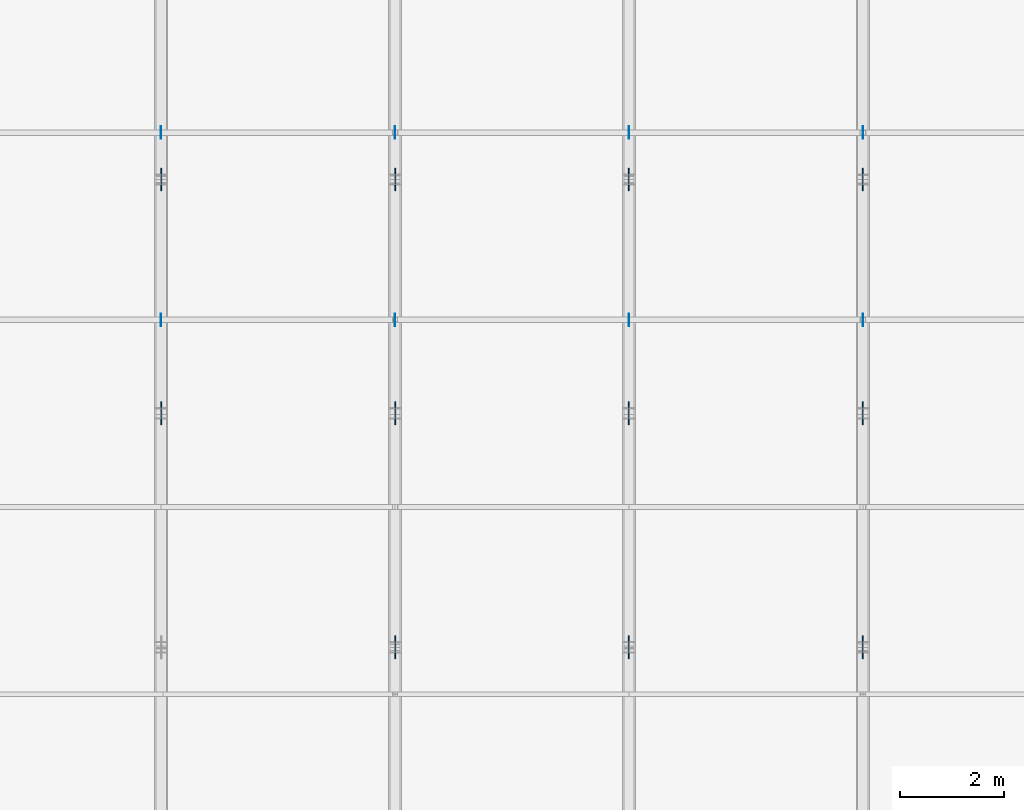
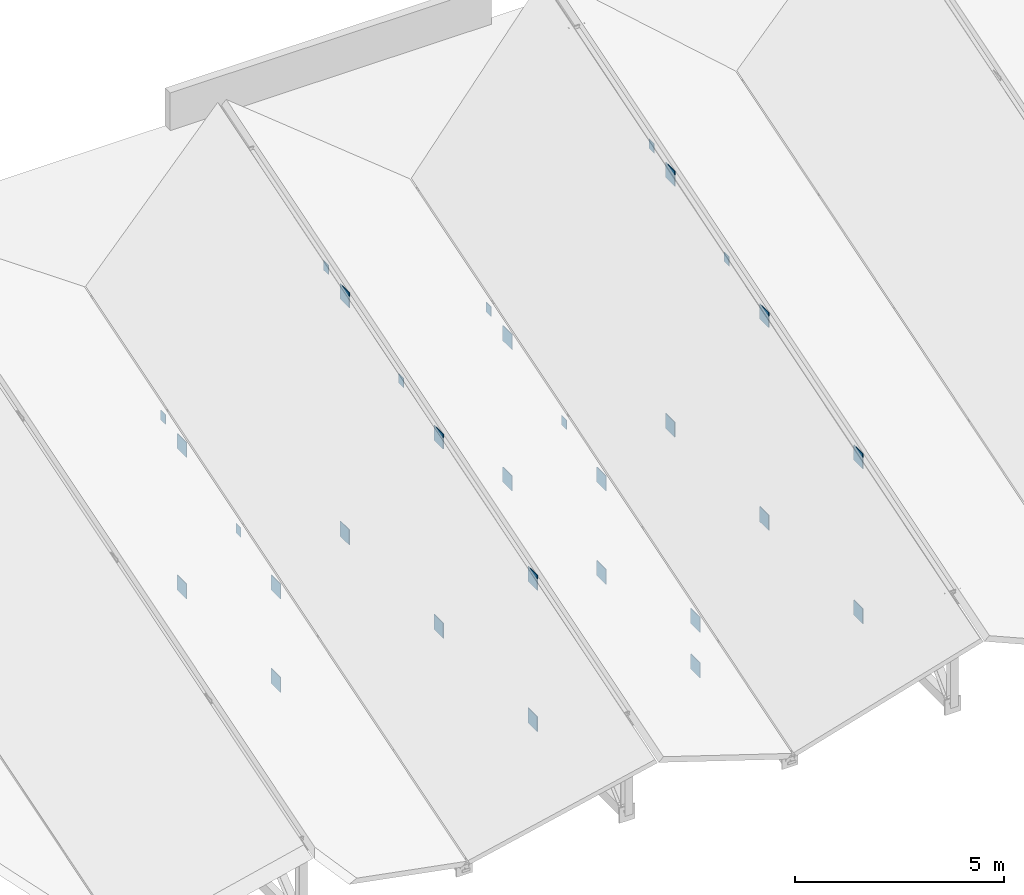
# One storey, part 119 of 142: 30 plates.
"""IFC4 building model written with IfcOpenShell, lengths in metres."""

from ifc_helpers import new_model, si_unit, direction, frame, origin, origin_2d, place, context, subcontext, project, spatial, rectangle, extrude, material, layer, layer_set, type_object, element, save


model = new_model("IFC4")

# Units and contexts
model_context = context("Model", 3, precision=1e-05, world=origin(), true_north=direction((0.0, 1.0)))
body_context = subcontext(model_context, "Body", "Model", "MODEL_VIEW")
ifc_project = project(units=[si_unit("LENGTHUNIT", "METRE"), si_unit("AREAUNIT", "SQUARE_METRE"), si_unit("VOLUMEUNIT", "CUBIC_METRE"), si_unit("PLANEANGLEUNIT", "RADIAN"), si_unit("MASSUNIT", "GRAM", prefix="KILO")], contexts=[model_context])

# Site, building, storey
site_placement = place(None, origin())
site = spatial("IfcSite", under=ifc_project, at=site_placement, CompositionType="ELEMENT")
building_placement = place(site_placement, origin())
building = spatial("IfcBuilding", under=site, at=building_placement, Name="Montelvaro Courts of Justice", CompositionType="ELEMENT")
storey_placement = place(building_placement, frame((0.0, 0.0, 14.39990234375)))
storey = spatial("IfcBuildingStorey", under=building, at=storey_placement, Name="L03", CompositionType="ELEMENT", Elevation=14.39990234375)

# Plates
ifc_material = material(Name="Steel S355", Category="steel")
ifc_layer_1 = layer(ifc_material, 0.011962890625)
ifc_layer_set_1 = layer_set([ifc_layer_1], Name="Steel S355")
plate_type_1 = type_object("IfcPlateType", Name="EndCapPlate_12", PredefinedType="USERDEFINED", material=ifc_layer_set_1)
for number, where, z_axis, x_axis, name in (
    (1, (36.0, 88.800048828125, 2.85009765625), (0.0, 0.0, 1.0), (1.0, 0.0, 0.0), "Purlin End Cap Plate CP-01 02-3R-B"),
    (2, (36.0, 92.39990234375, 3.97021484375), (0.0, 0.0, 1.0), (1.0, 0.0, 0.0), "Purlin End Cap Plate CP-01 02-4R-B"),
    (3, (40.5, 88.800048828125, 5.64990234375), (0.0, 0.0, 1.0), (1.0, 0.0, 0.0), "Purlin End Cap Plate CP-01 03-3L-B"),
    (4, (45.0, 88.800048828125, 2.85009765625), (0.0, 0.0, 1.0), (1.0, 0.0, 0.0), "Purlin End Cap Plate CP-01 03-3R-B"),
    (5, (40.5, 92.39990234375, 6.77001953125), (0.0, 0.0, 1.0), (1.0, 0.0, 0.0), "Purlin End Cap Plate CP-01 03-4L-B"),
    (6, (45.0, 92.39990234375, 3.97021484375), (0.0, 0.0, 1.0), (1.0, 0.0, 0.0), "Purlin End Cap Plate CP-01 03-4R-B"),
    (7, (49.5, 88.800048828125, 6.05029296875), (0.0, 0.0, 1.0), (1.0, 0.0, 0.0), "Purlin End Cap Plate CP-01 04-3L-B"),
    (8, (49.5, 92.39990234375, 7.169921875), (0.0, 0.0, 1.0), (1.0, 0.0, 0.0), "Purlin End Cap Plate CP-01 04-4L-B"),
):
    element("IfcPlate", number, at=place(storey_placement, frame(where, z_axis=z_axis, x_axis=x_axis)), inside=storey, type_object=plate_type_1, Name=name, ObjectType="GUSSET PLATE", PredefinedType="USERDEFINED", context=body_context, shape_type="SweptSolid", body=[
        extrude(rectangle(XDim=0.011962890625, YDim=0.239990234375, at=origin_2d()), origin(), (0.0, 0.0, 1.0), 0.280029296875),
    ])
ifc_layer_2 = layer(ifc_material, 0.02001953125)
ifc_layer_set_2 = layer_set([ifc_layer_2], Name="Steel S355")
plate_type_2 = type_object("IfcPlateType", Name="GussetPlate_20", PredefinedType="USERDEFINED", material=ifc_layer_set_2)
for number, where, z_axis, x_axis, name in (
    (9, (36.0, 87.0, -0.519775390625), (0.0, 0.0, 1.0), (1.0, 0.0, 0.0), "Roof Truss Gusset Plate GP-01 ROOF-V1-VTR03-2B"),
    (10, (36.0, 87.0, 2.210205078125), (0.0, 0.0, 1.0), (1.0, 0.0, 0.0), "Roof Truss Gusset Plate GP-01 ROOF-V1-VTR03-2T"),
    (11, (36.0, 91.5, -0.519775390625), (0.0, 0.0, 1.0), (1.0, 0.0, 0.0), "Roof Truss Gusset Plate GP-01 ROOF-V1-VTR03-3B"),
    (12, (36.0, 91.5, 3.610107421875), (0.0, 0.0, 1.0), (1.0, 0.0, 0.0), "Roof Truss Gusset Plate GP-01 ROOF-V1-VTR03-3T"),
    (13, (45.0, 82.5, -0.519775390625), (0.0, 0.0, 1.0), (1.0, 0.0, 0.0), "Roof Truss Gusset Plate GP-01 ROOF-V1-VTR04-1B"),
    (14, (45.0, 82.5, 0.81005859375), (0.0, 0.0, 1.0), (1.0, 0.0, 0.0), "Roof Truss Gusset Plate GP-01 ROOF-V1-VTR04-1T"),
    (15, (45.0, 87.0, -0.519775390625), (0.0, 0.0, 1.0), (1.0, 0.0, 0.0), "Roof Truss Gusset Plate GP-01 ROOF-V1-VTR04-2B"),
    (16, (45.0, 87.0, 2.210205078125), (0.0, 0.0, 1.0), (1.0, 0.0, 0.0), "Roof Truss Gusset Plate GP-01 ROOF-V1-VTR04-2T"),
    (17, (45.0, 91.5, -0.519775390625), (0.0, 0.0, 1.0), (1.0, 0.0, 0.0), "Roof Truss Gusset Plate GP-01 ROOF-V1-VTR04-3B"),
    (18, (45.0, 91.5, 3.610107421875), (0.0, 0.0, 1.0), (1.0, 0.0, 0.0), "Roof Truss Gusset Plate GP-01 ROOF-V1-VTR04-3T"),
    (19, (40.5, 82.5, -0.519775390625), (0.0, 0.0, 1.0), (1.0, 0.0, 0.0), "Roof Truss Gusset Plate GP-01 ROOF-V1-RTR03-1B"),
    (20, (40.5, 82.5, 3.610107421875), (0.0, 0.0, 1.0), (1.0, 0.0, 0.0), "Roof Truss Gusset Plate GP-01 ROOF-V1-RTR03-1T"),
    (21, (40.5, 87.0, -0.519775390625), (0.0, 0.0, 1.0), (1.0, 0.0, 0.0), "Roof Truss Gusset Plate GP-01 ROOF-V1-RTR03-2B"),
    (22, (40.5, 87.0, 5.010009765625), (0.0, 0.0, 1.0), (1.0, 0.0, 0.0), "Roof Truss Gusset Plate GP-01 ROOF-V1-RTR03-2T"),
    (23, (40.5, 91.5, -0.519775390625), (0.0, 0.0, 1.0), (1.0, 0.0, 0.0), "Roof Truss Gusset Plate GP-01 ROOF-V1-RTR03-3B"),
    (24, (40.5, 91.5, 6.41015625), (0.0, 0.0, 1.0), (1.0, 0.0, 0.0), "Roof Truss Gusset Plate GP-01 ROOF-V1-RTR03-3T"),
    (25, (49.5, 82.5, -0.519775390625), (0.0, 0.0, 1.0), (1.0, 0.0, 0.0), "Roof Truss Gusset Plate GP-01 ROOF-V1-RTR04-1B"),
    (26, (49.5, 82.5, 4.010009765625), (0.0, 0.0, 1.0), (1.0, 0.0, 0.0), "Roof Truss Gusset Plate GP-01 ROOF-V1-RTR04-1T"),
    (27, (49.5, 87.0, -0.519775390625), (0.0, 0.0, 1.0), (1.0, 0.0, 0.0), "Roof Truss Gusset Plate GP-01 ROOF-V1-RTR04-2B"),
    (28, (49.5, 87.0, 5.41015625), (0.0, 0.0, 1.0), (1.0, 0.0, 0.0), "Roof Truss Gusset Plate GP-01 ROOF-V1-RTR04-2T"),
    (29, (49.5, 91.5, -0.519775390625), (0.0, 0.0, 1.0), (1.0, 0.0, 0.0), "Roof Truss Gusset Plate GP-01 ROOF-V1-RTR04-3B"),
    (30, (49.5, 91.5, 6.81005859375), (0.0, 0.0, 1.0), (1.0, 0.0, 0.0), "Roof Truss Gusset Plate GP-01 ROOF-V1-RTR04-3T"),
):
    element("IfcPlate", number, at=place(storey_placement, frame(where, z_axis=z_axis, x_axis=x_axis)), inside=storey, type_object=plate_type_2, Name=name, ObjectType="GUSSET PLATE", PredefinedType="USERDEFINED", context=body_context, shape_type="SweptSolid", body=[
        extrude(rectangle(XDim=0.02001953125, YDim=0.43994140625, at=origin_2d()), origin(), (0.0, 0.0, 1.0), 0.43994140625),
    ])

save(model, "model.ifc")
